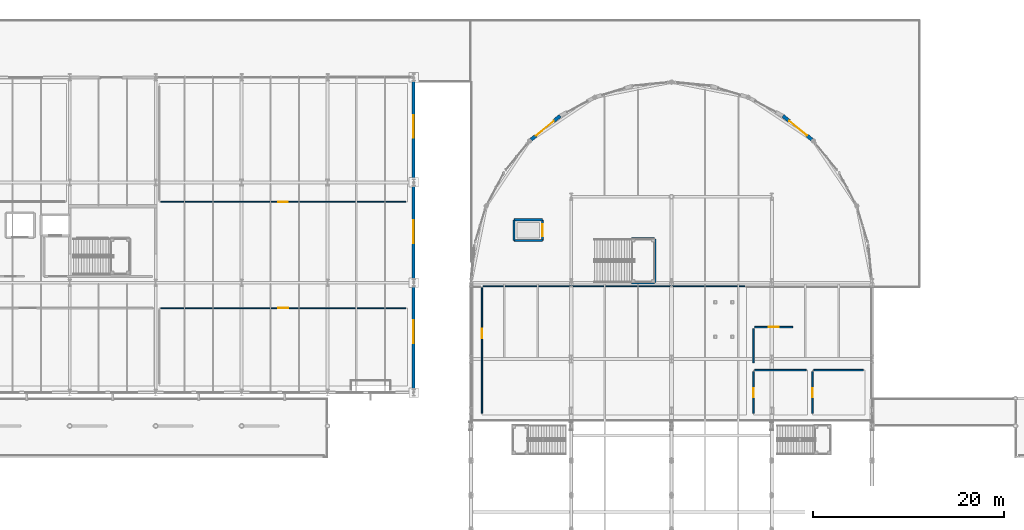
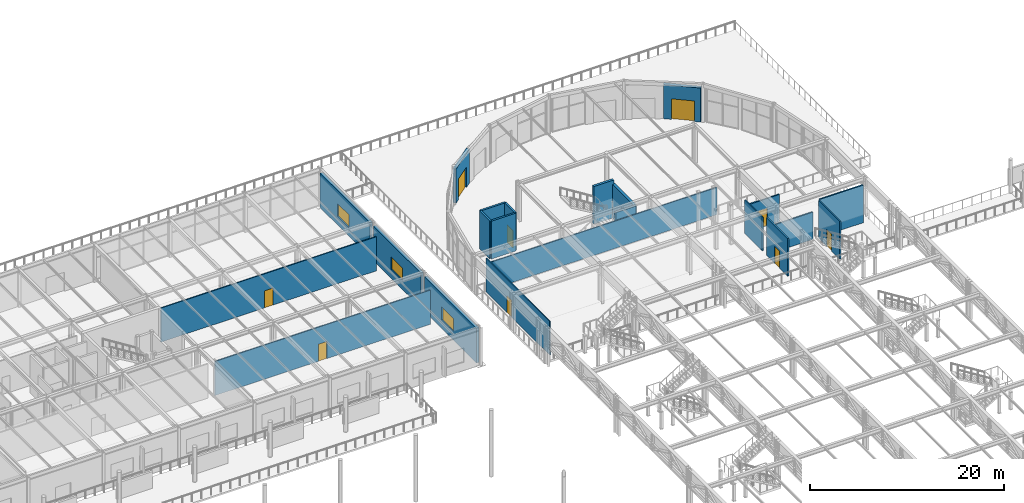
# One storey, part 86 of 143: 22 walls, 9 doors, 3 windows, 12 openings.
"""IFC4 building model written with IfcOpenShell, lengths in metres."""

from ifc_helpers import new_model, si_unit, direction, frame, frame_2d, origin, place, context, subcontext, project, spatial, rectangle, extrude, material, layer, layer_set, type_object, element, fill, save


model = new_model("IFC4")

# Units and contexts
model_context = context("Model", 3, precision=1e-05, world=origin(), true_north=direction((0.0, 1.0)))
body_context = subcontext(model_context, "Body", "Model", "MODEL_VIEW")
ifc_project = project(units=[si_unit("LENGTHUNIT", "METRE"), si_unit("AREAUNIT", "SQUARE_METRE"), si_unit("VOLUMEUNIT", "CUBIC_METRE"), si_unit("PLANEANGLEUNIT", "RADIAN"), si_unit("MASSUNIT", "GRAM", prefix="KILO")], contexts=[model_context])

# Site, building, storey
site_placement = place(None, origin())
site = spatial("IfcSite", under=ifc_project, at=site_placement, CompositionType="ELEMENT")
building_placement = place(site_placement, origin())
building = spatial("IfcBuilding", under=site, at=building_placement, Name="Marlcrest Central Station", CompositionType="ELEMENT")
storey_placement = place(building_placement, frame((0.0, 0.0, 4.800048828125)))
storey = spatial("IfcBuildingStorey", under=building, at=storey_placement, Name="L01", CompositionType="ELEMENT", Elevation=4.800048828125)

# Wall, opening, window
ifc_material_1 = material(Name="Concrete C40/50", Category="concrete")
ifc_layer_1 = layer(ifc_material_1, 0.320068359375, Name="EW-01")
ifc_layer_set_1 = layer_set([ifc_layer_1], Name="Concrete C40/50")
wall_type_1 = type_object("IfcWallType", Name="EW-01", PredefinedType="SOLIDWALL", material=ifc_layer_set_1)
wall_1_placement = place(storey_placement, frame((81.0, 110.14990234375, 0.0), z_axis=(0.0, 0.0, 1.0), x_axis=(0.0, -1.0, 0.0)))
wall_1 = element("IfcWall", 1, at=wall_1_placement, inside=storey, type_object=wall_type_1, Name="ewall-L01-0129", PredefinedType="SOLIDWALL", context=body_context, shape_type="SweptSolid", body=[
    extrude(rectangle(XDim=10.7998046875, YDim=0.320068359375, at=frame_2d((5.39990234375, 0.0))), origin(), (0.0, 0.0, 1.0), 4.349853515625),
])
opening_1_placement = place(wall_1_placement, frame((3.60009765625, 0.0, 1.10009765625)))
opening_1 = element("IfcOpeningElement", 2, at=opening_1_placement, cuts=wall_1, Name="Opening WN-02", PredefinedType="OPENING", context=body_context, shape_type="SweptSolid", body=[
    extrude(rectangle(XDim=2.39990234375, YDim=1.60009765625, at=frame_2d((1.199951171875, 0.800048828125))), frame((0.0, 0.169921875, 0.0), z_axis=(0.0, -1.0, 0.0), x_axis=(1.0, 0.0, 0.0)), (0.0, 0.0, 1.0), 0.340087890625),
])
ifc_material_2 = material(Name="Thermally broken bronze-anodised aluminium and laminated low-E glass", Category="aluminium")
window_type = type_object("IfcWindowType", Name="WN-02", PartitioningType="SINGLE_PANEL", PredefinedType="WINDOW", material=ifc_material_2)
window_1_placement = place(opening_1_placement, origin())
window_1 = element("IfcWindow", 3, at=window_1_placement, inside=storey, type_object=window_type, Name="ewin-L01-0082", OverallHeight=1.60009765625, OverallWidth=2.39990234375, PartitioningType="SINGLE_PANEL", PredefinedType="WINDOW", context=body_context, shape_type="SweptSolid", body=[
    extrude(rectangle(XDim=2.39990234375, YDim=1.60009765625, at=frame_2d((1.199951171875, 0.800048828125))), frame((0.0, 0.030029296875, 0.0), z_axis=(0.0, -1.0, 0.0), x_axis=(1.0, 0.0, 0.0)), (0.0, 0.0, 1.0), 0.06005859375),
])
fill(opening_1, window_1)

wall_2_placement = place(storey_placement, frame((81.0, 120.64990234375, 0.0), z_axis=(0.0, 0.0, 1.0), x_axis=(0.0, -1.0, 0.0)))
wall_2 = element("IfcWall", 4, at=wall_2_placement, inside=storey, type_object=wall_type_1, Name="ewall-L01-0130", PredefinedType="SOLIDWALL", context=body_context, shape_type="SweptSolid", body=[
    extrude(rectangle(XDim=9.7998046875, YDim=0.320068359375, at=frame_2d((4.89990234375, 0.0))), origin(), (0.0, 0.0, 1.0), 4.349853515625),
])
opening_2_placement = place(wall_2_placement, frame((3.60009765625, 0.0, 1.10009765625)))
opening_2 = element("IfcOpeningElement", 5, at=opening_2_placement, cuts=wall_2, Name="Opening WN-02", PredefinedType="OPENING", context=body_context, shape_type="SweptSolid", body=[
    extrude(rectangle(XDim=2.39990234375, YDim=1.60009765625, at=frame_2d((1.199951171875, 0.800048828125))), frame((0.0, 0.169921875, 0.0), z_axis=(0.0, -1.0, 0.0), x_axis=(1.0, 0.0, 0.0)), (0.0, 0.0, 1.0), 0.340087890625),
])
window_2_placement = place(opening_2_placement, origin())
window_2 = element("IfcWindow", 6, at=window_2_placement, inside=storey, type_object=window_type, Name="ewin-L01-0083", OverallHeight=1.60009765625, OverallWidth=2.39990234375, PartitioningType="SINGLE_PANEL", PredefinedType="WINDOW", context=body_context, shape_type="SweptSolid", body=[
    extrude(rectangle(XDim=2.39990234375, YDim=1.60009765625, at=frame_2d((1.199951171875, 0.800048828125))), frame((0.0, 0.030029296875, 0.0), z_axis=(0.0, -1.0, 0.0), x_axis=(1.0, 0.0, 0.0)), (0.0, 0.0, 1.0), 0.06005859375),
])
fill(opening_2, window_2)

wall_3_placement = place(storey_placement, frame((81.0, 131.64990234375, 0.0), z_axis=(0.0, 0.0, 1.0), x_axis=(0.0, -1.0, 0.0)))
wall_3 = element("IfcWall", 7, at=wall_3_placement, inside=storey, type_object=wall_type_1, Name="ewall-L01-0131", PredefinedType="SOLIDWALL", context=body_context, shape_type="SweptSolid", body=[
    extrude(rectangle(XDim=10.2998046875, YDim=0.320068359375, at=frame_2d((5.14990234375, 0.0))), origin(), (0.0, 0.0, 1.0), 4.349853515625),
])
opening_3_placement = place(wall_3_placement, frame((3.60009765625, 0.0, 1.10009765625)))
opening_3 = element("IfcOpeningElement", 8, at=opening_3_placement, cuts=wall_3, Name="Opening WN-02", PredefinedType="OPENING", context=body_context, shape_type="SweptSolid", body=[
    extrude(rectangle(XDim=2.39990234375, YDim=1.60009765625, at=frame_2d((1.199951171875, 0.800048828125))), frame((0.0, 0.169921875, 0.0), z_axis=(0.0, -1.0, 0.0), x_axis=(1.0, 0.0, 0.0)), (0.0, 0.0, 1.0), 0.340087890625),
])
window_3_placement = place(opening_3_placement, origin())
window_3 = element("IfcWindow", 9, at=window_3_placement, inside=storey, type_object=window_type, Name="ewin-L01-0084", OverallHeight=1.60009765625, OverallWidth=2.39990234375, PartitioningType="SINGLE_PANEL", PredefinedType="WINDOW", context=body_context, shape_type="SweptSolid", body=[
    extrude(rectangle(XDim=2.39990234375, YDim=1.60009765625, at=frame_2d((1.199951171875, 0.800048828125))), frame((0.0, 0.030029296875, 0.0), z_axis=(0.0, -1.0, 0.0), x_axis=(1.0, 0.0, 0.0)), (0.0, 0.0, 1.0), 0.06005859375),
])
fill(opening_3, window_3)

# Wall, opening, door
ifc_material_3 = material(Name="St. Thomas limestone on Concrete C40/50", Category="masonry")
ifc_layer_2 = layer(ifc_material_3, 0.360107421875, Name="EW-06")
ifc_layer_set_2 = layer_set([ifc_layer_2], Name="St. Thomas limestone on Concrete C40/50")
wall_type_2 = type_object("IfcWallType", Name="EW-06", PredefinedType="SOLIDWALL", material=ifc_layer_set_2)
wall_4_placement = place(storey_placement, frame((93.303955078125, 125.47509765625, 0.0), z_axis=(0.0, 0.0, 1.0), x_axis=(0.773015395656, 0.634387261914, 0.0)))
wall_4 = element("IfcWall", 10, at=wall_4_placement, inside=storey, type_object=wall_type_2, Name="ewall-L01-0009", PredefinedType="SOLIDWALL", context=body_context, shape_type="SweptSolid", body=[
    extrude(rectangle(XDim=3.91845703125, YDim=0.360107421875, at=frame_2d((1.959228515625, 0.0))), origin(), (0.0, 0.0, 1.0), 4.300048828125),
])
opening_4_placement = place(wall_4_placement, frame((0.65087890625, 0.0, 0.0)))
opening_4 = element("IfcOpeningElement", 11, at=opening_4_placement, cuts=wall_4, Name="Opening ED-02", PredefinedType="OPENING", context=body_context, shape_type="SweptSolid", body=[
    extrude(rectangle(XDim=2.39990234375, YDim=2.60009765625, at=frame_2d((1.199951171875, 1.300048828125))), frame((0.0, 0.18994140625, 0.0), z_axis=(0.0, -1.0, 0.0), x_axis=(1.0, 0.0, 0.0)), (0.0, 0.0, 1.0), 0.380126953125),
])
ifc_material_4 = material(Name="Thermally broken anodised aluminium and laminated safety glass", Category="aluminium")
door_type_1 = type_object("IfcDoorType", Name="ED-02", OperationType="DOUBLE_DOOR_SINGLE_SWING", PredefinedType="DOOR", material=ifc_material_4)
door_1_placement = place(opening_4_placement, origin())
door_1 = element("IfcDoor", 12, at=door_1_placement, inside=storey, type_object=door_type_1, Name="North Hillside Pedestrian Entrance Door 009", OperationType="DOUBLE_DOOR_SINGLE_SWING", OverallHeight=2.60009765625, OverallWidth=2.39990234375, PredefinedType="DOOR", context=body_context, shape_type="SweptSolid", body=[
    extrude(rectangle(XDim=2.39990234375, YDim=2.60009765625, at=frame_2d((1.199951171875, 1.300048828125))), frame((0.0, 0.02490234375, 0.0), z_axis=(0.0, -1.0, 0.0), x_axis=(1.0, 0.0, 0.0)), (0.0, 0.0, 1.0), 0.050048828125),
])
fill(opening_4, door_1)

wall_5_placement = place(storey_placement, frame((119.6669921875, 127.9609375, 0.0), z_axis=(0.0, 0.0, 1.0), x_axis=(0.773015395656, -0.634387261914, 0.0)))
wall_5 = element("IfcWall", 13, at=wall_5_placement, inside=storey, type_object=wall_type_2, Name="ewall-L01-0014", PredefinedType="SOLIDWALL", context=body_context, shape_type="SweptSolid", body=[
    extrude(rectangle(XDim=3.91845703125, YDim=0.360107421875, at=frame_2d((1.959228515625, 0.0))), origin(), (0.0, 0.0, 1.0), 4.300048828125),
])
opening_5_placement = place(wall_5_placement, frame((0.84912109375, 0.0, 0.0)))
opening_5 = element("IfcOpeningElement", 14, at=opening_5_placement, cuts=wall_5, Name="Opening ED-02", PredefinedType="OPENING", context=body_context, shape_type="SweptSolid", body=[
    extrude(rectangle(XDim=2.39990234375, YDim=2.60009765625, at=frame_2d((1.199951171875, 1.300048828125))), frame((0.0, 0.18994140625, 0.0), z_axis=(0.0, -1.0, 0.0), x_axis=(1.0, 0.0, 0.0)), (0.0, 0.0, 1.0), 0.380126953125),
])
door_2_placement = place(opening_5_placement, origin())
door_2 = element("IfcDoor", 15, at=door_2_placement, inside=storey, type_object=door_type_1, Name="North Hillside Pedestrian Entrance Door 014", OperationType="DOUBLE_DOOR_SINGLE_SWING", OverallHeight=2.60009765625, OverallWidth=2.39990234375, PredefinedType="DOOR", context=body_context, shape_type="SweptSolid", body=[
    extrude(rectangle(XDim=2.39990234375, YDim=2.60009765625, at=frame_2d((1.199951171875, 1.300048828125))), frame((0.0, 0.02490234375, 0.0), z_axis=(0.0, -1.0, 0.0), x_axis=(1.0, 0.0, 0.0)), (0.0, 0.0, 1.0), 0.050048828125),
])
fill(opening_5, door_2)

ifc_material_5 = material(Name="Acoustic steel-stud gypsum board partition", Category="steel")
ifc_layer_3 = layer(ifc_material_5, 0.1201171875, Name="PT-01")
ifc_layer_set_3 = layer_set([ifc_layer_3], Name="Acoustic steel-stud gypsum board partition")
wall_type_3 = type_object("IfcWallType", Name="PT-01", PredefinedType="PARTITIONING", material=ifc_layer_set_3)
wall_6_placement = place(storey_placement, frame((88.159912109375, 109.989990234375, 0.0), z_axis=(0.0, 0.0, 1.0), x_axis=(0.0, -1.0, 0.0)))
wall_6 = element("IfcWall", 16, at=wall_6_placement, inside=storey, type_object=wall_type_3, Name="iwall-L01-00070", PredefinedType="PARTITIONING", context=body_context, shape_type="SweptSolid", body=[
    extrude(rectangle(XDim=13.179931640625, YDim=0.1201171875, at=frame_2d((6.58984375, 0.0))), origin(), (0.0, 0.0, 1.0), 4.23486328125),
])
opening_6_placement = place(wall_6_placement, frame((4.3291015625, 0.0, 0.0)))
opening_6 = element("IfcOpeningElement", 17, at=opening_6_placement, cuts=wall_6, Name="Opening ID-02", PredefinedType="OPENING", context=body_context, shape_type="SweptSolid", body=[
    extrude(rectangle(XDim=1.0, YDim=2.14990234375, at=frame_2d((0.5, 1.074951171875))), frame((0.0, 0.070068359375, 0.0), z_axis=(0.0, -1.0, 0.0), x_axis=(1.0, 0.0, 0.0)), (0.0, 0.0, 1.0), 0.14013671875),
])
ifc_material_6 = material(Name="Solid-core hardwood office door", Category="wood")
door_type_2 = type_object("IfcDoorType", Name="ID-02", OperationType="NOTDEFINED", PredefinedType="DOOR", material=ifc_material_6)
door_3_placement = place(opening_6_placement, origin())
door_3 = element("IfcDoor", 18, at=door_3_placement, inside=storey, type_object=door_type_2, Name="L01-V2N2 0043", OperationType="SINGLE_SWING_RIGHT", OverallHeight=2.14990234375, OverallWidth=1.0, PredefinedType="DOOR", context=body_context, shape_type="SweptSolid", body=[
    extrude(rectangle(XDim=1.0, YDim=2.14990234375, at=frame_2d((0.5, 1.074951171875))), frame((0.0, 0.02490234375, 0.0), z_axis=(0.0, -1.0, 0.0), x_axis=(1.0, 0.0, 0.0)), (0.0, 0.0, 1.0), 0.050048828125),
])
fill(opening_6, door_3)

# Wall
wall_7_placement = place(storey_placement, frame((88.31005859375, 110.139892578125, 0.0), z_axis=(0.0, 0.0, 1.0), x_axis=(1.0, 0.0, 0.0)))
element("IfcWall", 19, at=wall_7_placement, inside=storey, type_object=wall_type_3, Name="iwall-L01-00071", PredefinedType="PARTITIONING", context=body_context, shape_type="SweptSolid", body=[
    extrude(rectangle(XDim=27.3798828125, YDim=0.1201171875, at=frame_2d((13.68994140625, 0.0))), origin(), (0.0, 0.0, 1.0), 3.43505859375),
])

# Wall, opening, door
wall_8_placement = place(storey_placement, frame((80.18994140625, 118.9599609375, 0.0), z_axis=(0.0, 0.0, 1.0), x_axis=(-1.0, 0.0, 0.0)))
wall_8 = element("IfcWall", 20, at=wall_8_placement, inside=storey, type_object=wall_type_3, Name="iwall-L01-00092", PredefinedType="PARTITIONING", context=body_context, shape_type="SweptSolid", body=[
    extrude(rectangle(XDim=25.679931640625, YDim=0.1201171875, at=frame_2d((12.83984375, 0.0))), origin(), (0.0, 0.0, 1.0), 4.300048828125),
])
opening_7_placement = place(wall_8_placement, frame((12.340087890625, 0.0, 0.0)))
opening_7 = element("IfcOpeningElement", 21, at=opening_7_placement, cuts=wall_8, Name="Opening ID-02", PredefinedType="OPENING", context=body_context, shape_type="SweptSolid", body=[
    extrude(rectangle(XDim=1.0, YDim=2.14990234375, at=frame_2d((0.5, 1.074951171875))), frame((0.0, 0.070068359375, 0.0), z_axis=(0.0, -1.0, 0.0), x_axis=(1.0, 0.0, 0.0)), (0.0, 0.0, 1.0), 0.14013671875),
])
door_4_placement = place(opening_7_placement, origin())
door_4 = element("IfcDoor", 22, at=door_4_placement, inside=storey, type_object=door_type_2, Name="L01-V5A 0055", OperationType="SINGLE_SWING_LEFT", OverallHeight=2.14990234375, OverallWidth=1.0, PredefinedType="DOOR", context=body_context, shape_type="SweptSolid", body=[
    extrude(rectangle(XDim=1.0, YDim=2.14990234375, at=frame_2d((0.5, 1.074951171875))), frame((0.0, 0.02490234375, 0.0), z_axis=(0.0, -1.0, 0.0), x_axis=(1.0, 0.0, 0.0)), (0.0, 0.0, 1.0), 0.050048828125),
])
fill(opening_7, door_4)

wall_9_placement = place(storey_placement, frame((54.510009765625, 107.840087890625, 0.0), z_axis=(0.0, 0.0, 1.0), x_axis=(1.0, 0.0, 0.0)))
wall_9 = element("IfcWall", 23, at=wall_9_placement, inside=storey, type_object=wall_type_3, Name="iwall-L01-00097", PredefinedType="PARTITIONING", context=body_context, shape_type="SweptSolid", body=[
    extrude(rectangle(XDim=25.679931640625, YDim=0.1201171875, at=frame_2d((12.83984375, 0.0))), origin(), (0.0, 0.0, 1.0), 4.300048828125),
])
opening_8_placement = place(wall_9_placement, frame((12.340087890625, 0.0, 0.0)))
opening_8 = element("IfcOpeningElement", 24, at=opening_8_placement, cuts=wall_9, Name="Opening ID-02", PredefinedType="OPENING", context=body_context, shape_type="SweptSolid", body=[
    extrude(rectangle(XDim=1.0, YDim=2.14990234375, at=frame_2d((0.5, 1.074951171875))), frame((0.0, 0.070068359375, 0.0), z_axis=(0.0, -1.0, 0.0), x_axis=(1.0, 0.0, 0.0)), (0.0, 0.0, 1.0), 0.14013671875),
])
door_5_placement = place(opening_8_placement, origin())
door_5 = element("IfcDoor", 25, at=door_5_placement, inside=storey, type_object=door_type_2, Name="L01-V5D 0058", OperationType="SINGLE_SWING_LEFT", OverallHeight=2.14990234375, OverallWidth=1.0, PredefinedType="DOOR", context=body_context, shape_type="SweptSolid", body=[
    extrude(rectangle(XDim=1.0, YDim=2.14990234375, at=frame_2d((0.5, 1.074951171875))), frame((0.0, 0.02490234375, 0.0), z_axis=(0.0, -1.0, 0.0), x_axis=(1.0, 0.0, 0.0)), (0.0, 0.0, 1.0), 0.050048828125),
])
fill(opening_8, door_5)

ifc_material_7 = material(Name="Moisture-resistant tiled sanitary partition")
ifc_layer_4 = layer(ifc_material_7, 0.159912109375, Name="PT-03")
ifc_layer_set_4 = layer_set([ifc_layer_4], Name="Moisture-resistant tiled sanitary partition")
wall_type_4 = type_object("IfcWallType", Name="PT-03", PredefinedType="PARTITIONING", material=ifc_layer_set_4)
wall_10_placement = place(storey_placement, frame((116.56005859375, 101.18994140625, 0.0), z_axis=(0.0, 0.0, 1.0), x_axis=(0.0, -1.0, 0.0)))
wall_10 = element("IfcWall", 26, at=wall_10_placement, inside=storey, type_object=wall_type_4, Name="iwall-L01-00074", PredefinedType="PARTITIONING", context=body_context, shape_type="SweptSolid", body=[
    extrude(rectangle(XDim=4.3798828125, YDim=0.159912109375, at=frame_2d((2.18994140625, 0.0))), origin(), (0.0, 0.0, 1.0), 4.75),
])
opening_9_placement = place(wall_10_placement, frame((1.715087890625, 0.0, 0.0)))
opening_9 = element("IfcOpeningElement", 27, at=opening_9_placement, cuts=wall_10, Name="Opening ID-01", PredefinedType="OPENING", context=body_context, shape_type="SweptSolid", body=[
    extrude(rectangle(XDim=0.949951171875, YDim=2.14990234375, at=frame_2d((0.47509765625, 1.074951171875))), frame((0.0, 0.08984375, 0.0), z_axis=(0.0, -1.0, 0.0), x_axis=(1.0, 0.0, 0.0)), (0.0, 0.0, 1.0), 0.179931640625),
])
ifc_material_8 = material(Name="Solid-core hardwood acoustic door", Category="wood")
door_type_3 = type_object("IfcDoorType", Name="ID-01", OperationType="NOTDEFINED", PredefinedType="DOOR", material=ifc_material_8)
door_6_placement = place(opening_9_placement, origin())
door_6 = element("IfcDoor", 28, at=door_6_placement, inside=storey, type_object=door_type_3, Name="L01-WC-N1 0045", OperationType="SINGLE_SWING_LEFT", OverallHeight=2.14990234375, OverallWidth=0.949951171875, PredefinedType="DOOR", context=body_context, shape_type="SweptSolid", body=[
    extrude(rectangle(XDim=0.949951171875, YDim=2.14990234375, at=frame_2d((0.47509765625, 1.074951171875))), frame((0.0, 0.02490234375, 0.0), z_axis=(0.0, -1.0, 0.0), x_axis=(1.0, 0.0, 0.0)), (0.0, 0.0, 1.0), 0.050048828125),
])
fill(opening_9, door_6)

# Wall
wall_11_placement = place(storey_placement, frame((116.7099609375, 101.340087890625, 0.0), z_axis=(0.0, 0.0, 1.0), x_axis=(1.0, 0.0, 0.0)))
element("IfcWall", 29, at=wall_11_placement, inside=storey, type_object=wall_type_4, Name="iwall-L01-00075", PredefinedType="PARTITIONING", context=body_context, shape_type="SweptSolid", body=[
    extrude(rectangle(XDim=5.380126953125, YDim=0.159912109375, at=frame_2d((2.68994140625, 0.0))), origin(), (0.0, 0.0, 1.0), 3.43505859375),
])

# Wall, opening, door
wall_12_placement = place(storey_placement, frame((122.760009765625, 101.18994140625, 0.0), z_axis=(0.0, 0.0, 1.0), x_axis=(0.0, -1.0, 0.0)))
wall_12 = element("IfcWall", 30, at=wall_12_placement, inside=storey, type_object=wall_type_4, Name="iwall-L01-00076", PredefinedType="PARTITIONING", context=body_context, shape_type="SweptSolid", body=[
    extrude(rectangle(XDim=4.3798828125, YDim=0.159912109375, at=frame_2d((2.18994140625, 0.0))), origin(), (0.0, 0.0, 1.0), 4.75),
])
opening_10_placement = place(wall_12_placement, frame((1.715087890625, 0.0, 0.0)))
opening_10 = element("IfcOpeningElement", 31, at=opening_10_placement, cuts=wall_12, Name="Opening ID-01", PredefinedType="OPENING", context=body_context, shape_type="SweptSolid", body=[
    extrude(rectangle(XDim=0.949951171875, YDim=2.14990234375, at=frame_2d((0.47509765625, 1.074951171875))), frame((0.0, 0.08984375, 0.0), z_axis=(0.0, -1.0, 0.0), x_axis=(1.0, 0.0, 0.0)), (0.0, 0.0, 1.0), 0.179931640625),
])
door_7_placement = place(opening_10_placement, origin())
door_7 = element("IfcDoor", 32, at=door_7_placement, inside=storey, type_object=door_type_3, Name="L01-WC-N2 0046", OperationType="SINGLE_SWING_RIGHT", OverallHeight=2.14990234375, OverallWidth=0.949951171875, PredefinedType="DOOR", context=body_context, shape_type="SweptSolid", body=[
    extrude(rectangle(XDim=0.949951171875, YDim=2.14990234375, at=frame_2d((0.47509765625, 1.074951171875))), frame((0.0, 0.02490234375, 0.0), z_axis=(0.0, -1.0, 0.0), x_axis=(1.0, 0.0, 0.0)), (0.0, 0.0, 1.0), 0.050048828125),
])
fill(opening_10, door_7)

# Wall
wall_13_placement = place(storey_placement, frame((122.909912109375, 101.340087890625, 0.0), z_axis=(0.0, 0.0, 1.0), x_axis=(1.0, 0.0, 0.0)))
element("IfcWall", 33, at=wall_13_placement, inside=storey, type_object=wall_type_4, Name="iwall-L01-00077", PredefinedType="PARTITIONING", context=body_context, shape_type="SweptSolid", body=[
    extrude(rectangle(XDim=5.18017578125, YDim=0.159912109375, at=frame_2d((2.590087890625, 0.0))), origin(), (0.0, 0.0, 1.0), 4.75),
])

# Wall, opening, door
wall_14_placement = place(storey_placement, frame((116.7099609375, 105.840087890625, 0.0), z_axis=(0.0, 0.0, 1.0), x_axis=(1.0, 0.0, 0.0)))
wall_14 = element("IfcWall", 34, at=wall_14_placement, inside=storey, type_object=wall_type_4, Name="iwall-L01-00078", PredefinedType="PARTITIONING", context=body_context, shape_type="SweptSolid", body=[
    extrude(rectangle(XDim=3.97998046875, YDim=0.159912109375, at=frame_2d((1.989990234375, 0.0))), origin(), (0.0, 0.0, 1.0), 3.43505859375),
])
opening_11_placement = place(wall_14_placement, frame((1.465087890625, 0.0, 0.0)))
opening_11 = element("IfcOpeningElement", 35, at=opening_11_placement, cuts=wall_14, Name="Opening ID-03", PredefinedType="OPENING", context=body_context, shape_type="SweptSolid", body=[
    extrude(rectangle(XDim=1.050048828125, YDim=2.199951171875, at=frame_2d((0.52490234375, 1.10009765625))), frame((0.0, 0.08984375, 0.0), z_axis=(0.0, -1.0, 0.0), x_axis=(1.0, 0.0, 0.0)), (0.0, 0.0, 1.0), 0.179931640625),
])
ifc_material_9 = material(Name="Accessible sanitary outward-opening door")
door_type_4 = type_object("IfcDoorType", Name="ID-03", OperationType="NOTDEFINED", PredefinedType="DOOR", material=ifc_material_9)
door_8_placement = place(opening_11_placement, origin())
door_8 = element("IfcDoor", 36, at=door_8_placement, inside=storey, type_object=door_type_4, Name="L01-WC-NA 0047", OperationType="SINGLE_SWING_LEFT", OverallHeight=2.199951171875, OverallWidth=1.050048828125, PredefinedType="DOOR", context=body_context, shape_type="SweptSolid", body=[
    extrude(rectangle(XDim=1.050048828125, YDim=2.199951171875, at=frame_2d((0.52490234375, 1.10009765625))), frame((0.0, 0.02490234375, 0.0), z_axis=(0.0, -1.0, 0.0), x_axis=(1.0, 0.0, 0.0)), (0.0, 0.0, 1.0), 0.050048828125),
])
fill(opening_11, door_8)

# Walls
wall_15_placement = place(storey_placement, frame((116.56005859375, 102.110107421875, 0.0), z_axis=(0.0, 0.0, 1.0), x_axis=(0.0, 1.0, 0.0)))
element("IfcWall", 37, at=wall_15_placement, inside=storey, type_object=wall_type_4, Name="iwall-L01-00079", PredefinedType="PARTITIONING", context=body_context, shape_type="SweptSolid", body=[
    extrude(rectangle(XDim=3.579833984375, YDim=0.159912109375, at=frame_2d((1.7900390625, 0.0))), origin(), (0.0, 0.0, 1.0), 4.23486328125),
])
ifc_layer_5 = layer(ifc_material_1, 0.22998046875, Name="SHW-01")
ifc_layer_set_5 = layer_set([ifc_layer_5], Name="Concrete C40/50")
wall_type_5 = type_object("IfcWallType", Name="SHW-01", PredefinedType="SOLIDWALL", material=ifc_layer_set_5)
for number, where, z_axis, x_axis, name in (
    (38, (91.52001953125, 117.080078125, 0.0), (0.0, 0.0, 1.0), (1.0, 0.0, 0.0), "iwall-L01-00303"),
    (39, (94.47998046875, 114.919921875, 0.0), (0.0, 0.0, 1.0), (-1.0, 0.0, 0.0), "iwall-L01-00304"),
):
    element("IfcWall", number, at=place(storey_placement, frame(where, z_axis=z_axis, x_axis=x_axis)), inside=storey, type_object=wall_type_5, Name=name, PredefinedType="SOLIDWALL", context=body_context, shape_type="SweptSolid", body=[
        extrude(rectangle(XDim=2.9599609375, YDim=0.22998046875, at=frame_2d((1.47998046875, 0.0))), origin(), (0.0, 0.0, 1.0), 4.760009765625),
    ])
wall_16_placement = place(storey_placement, frame((91.52001953125, 114.919921875, 0.0), z_axis=(0.0, 0.0, 1.0), x_axis=(0.0, 1.0, 0.0)))
element("IfcWall", 40, at=wall_16_placement, inside=storey, type_object=wall_type_5, Name="iwall-L01-00305", PredefinedType="SOLIDWALL", context=body_context, shape_type="SweptSolid", body=[
    extrude(rectangle(XDim=2.16015625, YDim=0.22998046875, at=frame_2d((1.080078125, 0.0))), origin(), (0.0, 0.0, 1.0), 4.760009765625),
])

# Wall, opening, door
wall_17_placement = place(storey_placement, frame((94.47998046875, 117.080078125, 0.0), z_axis=(0.0, 0.0, 1.0), x_axis=(0.0, -1.0, 0.0)))
wall_17 = element("IfcWall", 41, at=wall_17_placement, inside=storey, type_object=wall_type_5, Name="iwall-L01-00306", PredefinedType="SOLIDWALL", context=body_context, shape_type="SweptSolid", body=[
    extrude(rectangle(XDim=2.16015625, YDim=0.22998046875, at=frame_2d((1.080078125, 0.0))), origin(), (0.0, 0.0, 1.0), 4.760009765625),
])
opening_12_placement = place(wall_17_placement, frame((0.455078125, 0.0, 0.0)))
opening_12 = element("IfcOpeningElement", 42, at=opening_12_placement, cuts=wall_17, Name="Opening LD-02", PredefinedType="OPENING", context=body_context, shape_type="SweptSolid", body=[
    extrude(rectangle(XDim=1.25, YDim=2.199951171875, at=frame_2d((0.625, 1.10009765625))), frame((0.0, 0.125, 0.0), z_axis=(0.0, -1.0, 0.0), x_axis=(1.0, 0.0, 0.0)), (0.0, 0.0, 1.0), 0.25),
])
ifc_material_10 = material(Name="Stainless steel stretcher/firefighting lift landing door", Category="steel")
door_type_5 = type_object("IfcDoorType", Name="LD-02", OperationType="DOUBLE_DOOR_SLIDING", PredefinedType="DOOR", material=ifc_material_10)
door_9_placement = place(opening_12_placement, origin())
door_9 = element("IfcDoor", 43, at=door_9_placement, inside=storey, type_object=door_type_5, Name="LF-C2 Lift Landing Door 0146", OperationType="DOUBLE_DOOR_SLIDING", OverallHeight=2.199951171875, OverallWidth=1.25, PredefinedType="DOOR", context=body_context, shape_type="SweptSolid", body=[
    extrude(rectangle(XDim=1.25, YDim=2.199951171875, at=frame_2d((0.625, 1.10009765625))), frame((0.0, 0.02490234375, 0.0), z_axis=(0.0, -1.0, 0.0), x_axis=(1.0, 0.0, 0.0)), (0.0, 0.0, 1.0), 0.050048828125),
])
fill(opening_12, door_9)

# Walls
ifc_material_11 = material(Name="Concrete C50/60", Category="concrete")
ifc_layer_6 = layer(ifc_material_11, 0.300048828125, Name="SW-02")
ifc_layer_set_6 = layer_set([ifc_layer_6], Name="Concrete C50/60")
wall_type_6 = type_object("IfcWallType", Name="SW-02", PredefinedType="SHEAR", material=ifc_layer_set_6)
wall_18_placement = place(storey_placement, frame((103.830078125, 110.52001953125, 0.0), z_axis=(0.0, 0.0, 1.0), x_axis=(1.0, 0.0, 0.0)))
element("IfcWall", 44, at=wall_18_placement, inside=storey, type_object=wall_type_6, Name="htsw-0034-S", PredefinedType="SHEAR", context=body_context, shape_type="SweptSolid", body=[
    extrude(rectangle(XDim=2.39990234375, YDim=0.300048828125, at=frame_2d((1.199951171875, 0.0))), origin(), (0.0, 0.0, 1.0), 4.23486328125),
])
wall_19_placement = place(storey_placement, frame((106.22998046875, 110.52001953125, 0.0), z_axis=(0.0, 0.0, 1.0), x_axis=(0.0, 1.0, 0.0)))
element("IfcWall", 45, at=wall_19_placement, inside=storey, type_object=wall_type_6, Name="htsw-0034-E", PredefinedType="SHEAR", context=body_context, shape_type="SweptSolid", body=[
    extrude(rectangle(XDim=4.56005859375, YDim=0.300048828125, at=frame_2d((2.280029296875, 0.0))), origin(), (0.0, 0.0, 1.0), 4.23486328125),
])
wall_20_placement = place(storey_placement, frame((106.22998046875, 115.080078125, 0.0), z_axis=(0.0, 0.0, 1.0), x_axis=(-1.0, 0.0, 0.0)))
element("IfcWall", 46, at=wall_20_placement, inside=storey, type_object=wall_type_6, Name="htsw-0034-N", PredefinedType="SHEAR", context=body_context, shape_type="SweptSolid", body=[
    extrude(rectangle(XDim=2.39990234375, YDim=0.300048828125, at=frame_2d((1.199951171875, 0.0))), origin(), (0.0, 0.0, 1.0), 4.75),
])

save(model, "model.ifc")
